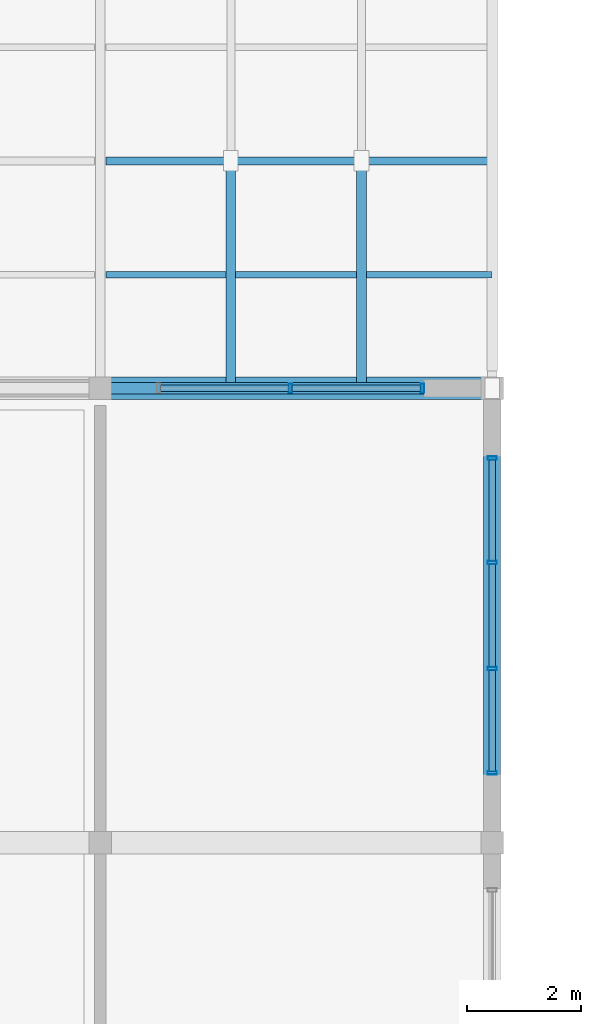
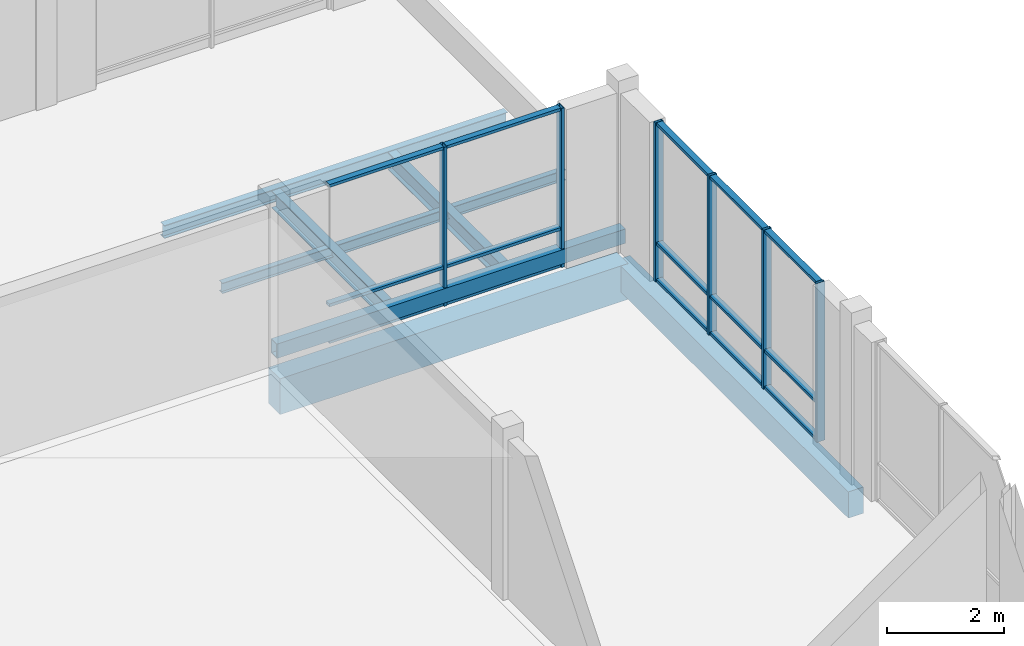
# One storey, part 32 of 189: 23 members, 5 beams, 2 elements without a shape of their own.
"""IFC4 building model written with IfcOpenShell, lengths in metres."""

from ifc_helpers import new_model, si_unit, direction, frame, origin, origin_2d, place, context, subcontext, project, spatial, rectangle, hollow_rectangle, i_section, extrude, material, material_profile, profile_set, type_object, element, aggregate, save


model = new_model("IFC4")

# Units and contexts
model_context = context("Model", 3, precision=1e-05, world=origin(), true_north=direction((0.0, 1.0)))
body_context = subcontext(model_context, "Body", "Model", "MODEL_VIEW")
ifc_project = project(units=[si_unit("LENGTHUNIT", "METRE"), si_unit("AREAUNIT", "SQUARE_METRE"), si_unit("VOLUMEUNIT", "CUBIC_METRE"), si_unit("PLANEANGLEUNIT", "RADIAN"), si_unit("MASSUNIT", "GRAM", prefix="KILO")], contexts=[model_context])

# Site, building, storey
site_placement = place(None, origin())
site = spatial("IfcSite", under=ifc_project, at=site_placement, CompositionType="ELEMENT")
building_placement = place(site_placement, origin())
building = spatial("IfcBuilding", under=site, at=building_placement, Name="Zavelmont Quarter", CompositionType="ELEMENT")
storey_placement = place(building_placement, frame((0.0, 0.0, 4.39990234375)))
storey = spatial("IfcBuildingStorey", under=building, at=storey_placement, Name="L01", CompositionType="ELEMENT", Elevation=4.39990234375)

# Beams
ifc_material_1 = material(Name="Concrete C35/45", Category="concrete")
ifc_material_profile_1 = material_profile(ifc_material_1, rectangle(XDim=0.300048828125, YDim=0.550048828125, at=origin_2d()), Name="RC300X550")
ifc_profile_set_1 = profile_set([ifc_material_profile_1], Name="Concrete C35/45")
beam_type_1 = type_object("IfcBeamType", Name="BM02", PredefinedType="SPANDREL", material=ifc_profile_set_1)
beam_1_placement = place(storey_placement, frame((20.699951171875, 46.0, -0.554931640625), z_axis=(0.0, 1.0, 0.0), x_axis=(-1.0, 0.0, 0.0)))
element("IfcBeam", 1, at=beam_1_placement, inside=storey, type_object=beam_type_1, Name="L01 beam BM02 4/H to 4/J", PredefinedType="SPANDREL", context=body_context, shape_type="SweptSolid", body=[
    extrude(rectangle(XDim=0.300048828125, YDim=0.550048828125, at=origin_2d()), origin(), (0.0, 0.0, 1.0), 8.0),
])
ifc_material_2 = material(Name="Concrete C40/50", Category="concrete")
ifc_material_profile_2 = material_profile(ifc_material_2, rectangle(XDim=0.39990234375, YDim=0.75, at=origin_2d()), Name="RC400X750")
ifc_profile_set_2 = profile_set([ifc_material_profile_2], Name="Concrete C40/50")
beam_type_2 = type_object("IfcBeamType", Name="BM05", PredefinedType="BEAM", material=ifc_profile_set_2)
beam_2_placement = place(storey_placement, frame((13.800048828125, 54.0, -0.65478515625), z_axis=(1.0, 0.0, 0.0), x_axis=(0.0, 1.0, 0.0)))
element("IfcBeam", 2, at=beam_2_placement, inside=storey, type_object=beam_type_2, Name="L01 beam BM05 3/J to 4/J", PredefinedType="BEAM", context=body_context, shape_type="SweptSolid", body=[
    extrude(rectangle(XDim=0.39990234375, YDim=0.75, at=origin_2d()), origin(), (0.0, 0.0, 1.0), 6.89990234375),
])
ifc_material_3 = material(Name="Steel S355", Category="steel")
ifc_material_profile_3 = material_profile(ifc_material_3, i_section(OverallWidth=0.135009765625, OverallDepth=0.27001953125, WebThickness=0.006591796875, FlangeThickness=0.01025390625, at=origin_2d()), Name="IPE 270")
ifc_profile_set_3 = profile_set([ifc_material_profile_3], Name="Steel S355")
beam_type_3 = type_object("IfcBeamType", Name="BM14", PredefinedType="JOIST", material=ifc_profile_set_3)
beam_3_placement = place(storey_placement, frame((13.89990234375, 58.0, 0.25), z_axis=(1.0, 0.0, 0.0), x_axis=(0.0, 1.0, 0.0)))
element("IfcBeam", 3, at=beam_3_placement, inside=storey, type_object=beam_type_3, Name="L01 beam BM14 3/J to 4/J", PredefinedType="JOIST", context=body_context, shape_type="SweptSolid", body=[
    extrude(i_section(OverallWidth=0.135009765625, OverallDepth=0.27001953125, WebThickness=0.006591796875, FlangeThickness=0.01025390625, at=origin_2d()), origin(), (0.0, 0.0, 1.0), 6.800048828125),
])
ifc_material_profile_4 = material_profile(ifc_material_3, i_section(OverallWidth=0.110107421875, OverallDepth=0.219970703125, WebThickness=0.005859375, FlangeThickness=0.00927734375, at=origin_2d()), Name="IPE 220")
ifc_profile_set_4 = profile_set([ifc_material_profile_4], Name="Steel S355")
beam_type_4 = type_object("IfcBeamType", Name="BM15", PredefinedType="JOIST", material=ifc_profile_set_4)
beam_4_placement = place(storey_placement, frame((13.89990234375, 56.0, 0.275146484375), z_axis=(1.0, 0.0, 0.0), x_axis=(0.0, 1.0, 0.0)))
element("IfcBeam", 4, at=beam_4_placement, inside=storey, type_object=beam_type_4, Name="L01 beam BM15 3/J to 4/J", PredefinedType="JOIST", context=body_context, shape_type="SweptSolid", body=[
    extrude(i_section(OverallWidth=0.110107421875, OverallDepth=0.219970703125, WebThickness=0.005859375, FlangeThickness=0.00927734375, at=origin_2d()), origin(), (0.0, 0.0, 1.0), 6.800048828125),
])
ifc_material_profile_5 = material_profile(ifc_material_3, hollow_rectangle(XDim=0.199951171875, YDim=0.300048828125, WallThickness=0.012451171875, at=origin_2d()), Name="RHS 300X200X12.5")
ifc_profile_set_5 = profile_set([ifc_material_profile_5], Name="Steel S355")
beam_type_5 = type_object("IfcBeamType", Name="BM16", PredefinedType="BEAM", material=ifc_profile_set_5)
beam_5_placement = place(storey_placement, frame((13.800048828125, 54.0, 0.235107421875), z_axis=(1.0, 0.0, 0.0), x_axis=(0.0, 1.0, 0.0)))
element("IfcBeam", 5, at=beam_5_placement, inside=storey, type_object=beam_type_5, Name="L01 beam BM16 3/J to 4/J", PredefinedType="BEAM", context=body_context, shape_type="SweptSolid", body=[
    extrude(hollow_rectangle(XDim=0.199951171875, YDim=0.300048828125, WallThickness=0.012451171875, at=origin_2d()), origin(), (0.0, 0.0, 1.0), 6.89990234375),
])

# Curtain wall, members
ifc_material_4 = material(Name="Thermally broken aluminium and double low-E safety glazing", Category="aluminium")
curtain_wall_type_1 = type_object("IfcCurtainWallType", Name="CW-560X333", PredefinedType="NOTDEFINED", material=ifc_material_4)
curtain_wall_1_placement = place(storey_placement, origin())
curtain_wall_1 = element("IfcCurtainWall", 6, at=curtain_wall_1_placement, inside=storey, type_object=curtain_wall_type_1, Name="L01 unitised curtain wall CW-560X333", PredefinedType="NOTDEFINED")
ifc_material_5 = material(Name="Powder-coated aluminium EN AW-6063-T6", Category="aluminium")
ifc_material_profile_6 = material_profile(ifc_material_5, hollow_rectangle(XDim=0.06005859375, YDim=0.159912109375, WallThickness=0.00390625, at=origin_2d()), Name="CWM60X160")
ifc_profile_set_6 = profile_set([ifc_material_profile_6], Name="Powder-coated aluminium EN AW-6063-T6")
member_type_1 = type_object("IfcMemberType", Name="CWM01", PredefinedType="MULLION", material=ifc_profile_set_6)
member_1_placement = place(storey_placement, frame((20.699951171875, 47.22998046875, 0.0), z_axis=(0.0, 0.0, 1.0), x_axis=(0.0, 1.0, 0.0)))
member_1 = element("IfcMember", 7, at=member_1_placement, type_object=member_type_1, Name="CW-560X333 mullion 1", PredefinedType="MULLION", context=body_context, shape_type="SweptSolid", body=[
    extrude(hollow_rectangle(XDim=0.06005859375, YDim=0.159912109375, WallThickness=0.00390625, at=origin_2d()), origin(), (0.0, 0.0, 1.0), 3.330078125),
])
member_2_placement = place(storey_placement, frame((20.699951171875, 49.066650390625, 0.0), z_axis=(0.0, 0.0, 1.0), x_axis=(0.0, 1.0, 0.0)))
member_2 = element("IfcMember", 8, at=member_2_placement, type_object=member_type_1, Name="CW-560X333 mullion 2", PredefinedType="MULLION", context=body_context, shape_type="SweptSolid", body=[
    extrude(hollow_rectangle(XDim=0.06005859375, YDim=0.159912109375, WallThickness=0.00390625, at=origin_2d()), origin(), (0.0, 0.0, 1.0), 3.330078125),
])
member_3_placement = place(storey_placement, frame((20.699951171875, 50.933349609375, 0.0), z_axis=(0.0, 0.0, 1.0), x_axis=(0.0, 1.0, 0.0)))
member_3 = element("IfcMember", 9, at=member_3_placement, type_object=member_type_1, Name="CW-560X333 mullion 3", PredefinedType="MULLION", context=body_context, shape_type="SweptSolid", body=[
    extrude(hollow_rectangle(XDim=0.06005859375, YDim=0.159912109375, WallThickness=0.00390625, at=origin_2d()), origin(), (0.0, 0.0, 1.0), 3.330078125),
])
member_4_placement = place(storey_placement, frame((20.699951171875, 52.77001953125, 0.0), z_axis=(0.0, 0.0, 1.0), x_axis=(0.0, 1.0, 0.0)))
member_4 = element("IfcMember", 10, at=member_4_placement, type_object=member_type_1, Name="CW-560X333 mullion 4", PredefinedType="MULLION", context=body_context, shape_type="SweptSolid", body=[
    extrude(hollow_rectangle(XDim=0.06005859375, YDim=0.159912109375, WallThickness=0.00390625, at=origin_2d()), origin(), (0.0, 0.0, 1.0), 3.330078125),
])

curtain_wall_type_2 = type_object("IfcCurtainWallType", Name="CW-470X333", PredefinedType="NOTDEFINED", material=ifc_material_4)
curtain_wall_2_placement = place(storey_placement, origin())
curtain_wall_2 = element("IfcCurtainWall", 11, at=curtain_wall_2_placement, inside=storey, type_object=curtain_wall_type_2, Name="L01 unitised curtain wall CW-470X333", PredefinedType="NOTDEFINED")
member_5_placement = place(storey_placement, frame((17.14990234375, 54.0, 0.0), z_axis=(0.0, 0.0, 1.0), x_axis=(1.0, 0.0, 0.0)))
member_5 = element("IfcMember", 12, at=member_5_placement, type_object=member_type_1, Name="CW-470X333 mullion 2", PredefinedType="MULLION", context=body_context, shape_type="SweptSolid", body=[
    extrude(hollow_rectangle(XDim=0.06005859375, YDim=0.159912109375, WallThickness=0.00390625, at=origin_2d()), origin(), (0.0, 0.0, 1.0), 3.330078125),
])
member_6_placement = place(storey_placement, frame((19.469970703125, 54.0, 0.0), z_axis=(0.0, 0.0, 1.0), x_axis=(1.0, 0.0, 0.0)))
member_6 = element("IfcMember", 13, at=member_6_placement, type_object=member_type_1, Name="CW-470X333 mullion 3", PredefinedType="MULLION", context=body_context, shape_type="SweptSolid", body=[
    extrude(hollow_rectangle(XDim=0.06005859375, YDim=0.159912109375, WallThickness=0.00390625, at=origin_2d()), origin(), (0.0, 0.0, 1.0), 3.330078125),
])

# Member
ifc_material_profile_7 = material_profile(ifc_material_5, hollow_rectangle(XDim=0.1201171875, YDim=0.06005859375, WallThickness=0.00390625, at=origin_2d()), Name="CWT60X120")
ifc_profile_set_7 = profile_set([ifc_material_profile_7], Name="Powder-coated aluminium EN AW-6063-T6")
member_type_2 = type_object("IfcMemberType", Name="CWT01", PredefinedType="NOTDEFINED", material=ifc_profile_set_7)
member_7_placement = place(storey_placement, frame((20.699951171875, 47.260009765625, 0.030029296875), z_axis=(0.0, 1.0, 0.0), x_axis=(-1.0, 0.0, 0.0)))
member_7 = element("IfcMember", 14, at=member_7_placement, type_object=member_type_2, Name="CW-560X333 transom 1.1", ObjectType="TRANSOM", PredefinedType="USERDEFINED", context=body_context, shape_type="SweptSolid", body=[
    extrude(hollow_rectangle(XDim=0.1201171875, YDim=0.06005859375, WallThickness=0.00390625, at=origin_2d()), origin(), (0.0, 0.0, 1.0), 1.776611328125),
])

member_8_placement = place(storey_placement, frame((20.699951171875, 47.260009765625, 0.799072265625), z_axis=(0.0, 1.0, 0.0), x_axis=(-1.0, 0.0, 0.0)))
member_8 = element("IfcMember", 15, at=member_8_placement, type_object=member_type_2, Name="CW-560X333 transom 1.2", ObjectType="TRANSOM", PredefinedType="USERDEFINED", context=body_context, shape_type="SweptSolid", body=[
    extrude(hollow_rectangle(XDim=0.1201171875, YDim=0.06005859375, WallThickness=0.00390625, at=origin_2d()), origin(), (0.0, 0.0, 1.0), 1.776611328125),
])

member_9_placement = place(storey_placement, frame((20.699951171875, 47.260009765625, 3.300048828125), z_axis=(0.0, 1.0, 0.0), x_axis=(-1.0, 0.0, 0.0)))
member_9 = element("IfcMember", 16, at=member_9_placement, type_object=member_type_2, Name="CW-560X333 transom 1.3", ObjectType="TRANSOM", PredefinedType="USERDEFINED", context=body_context, shape_type="SweptSolid", body=[
    extrude(hollow_rectangle(XDim=0.1201171875, YDim=0.06005859375, WallThickness=0.00390625, at=origin_2d()), origin(), (0.0, 0.0, 1.0), 1.776611328125),
])

member_10_placement = place(storey_placement, frame((20.699951171875, 49.0966796875, 0.030029296875), z_axis=(0.0, 1.0, 0.0), x_axis=(-1.0, 0.0, 0.0)))
member_10 = element("IfcMember", 17, at=member_10_placement, type_object=member_type_2, Name="CW-560X333 transom 2.1", ObjectType="TRANSOM", PredefinedType="USERDEFINED", context=body_context, shape_type="SweptSolid", body=[
    extrude(hollow_rectangle(XDim=0.1201171875, YDim=0.06005859375, WallThickness=0.00390625, at=origin_2d()), origin(), (0.0, 0.0, 1.0), 1.806640625),
])

member_11_placement = place(storey_placement, frame((20.699951171875, 49.0966796875, 0.799072265625), z_axis=(0.0, 1.0, 0.0), x_axis=(-1.0, 0.0, 0.0)))
member_11 = element("IfcMember", 18, at=member_11_placement, type_object=member_type_2, Name="CW-560X333 transom 2.2", ObjectType="TRANSOM", PredefinedType="USERDEFINED", context=body_context, shape_type="SweptSolid", body=[
    extrude(hollow_rectangle(XDim=0.1201171875, YDim=0.06005859375, WallThickness=0.00390625, at=origin_2d()), origin(), (0.0, 0.0, 1.0), 1.806640625),
])

member_12_placement = place(storey_placement, frame((20.699951171875, 49.0966796875, 3.300048828125), z_axis=(0.0, 1.0, 0.0), x_axis=(-1.0, 0.0, 0.0)))
member_12 = element("IfcMember", 19, at=member_12_placement, type_object=member_type_2, Name="CW-560X333 transom 2.3", ObjectType="TRANSOM", PredefinedType="USERDEFINED", context=body_context, shape_type="SweptSolid", body=[
    extrude(hollow_rectangle(XDim=0.1201171875, YDim=0.06005859375, WallThickness=0.00390625, at=origin_2d()), origin(), (0.0, 0.0, 1.0), 1.806640625),
])

member_13_placement = place(storey_placement, frame((20.699951171875, 50.96337890625, 0.030029296875), z_axis=(0.0, 1.0, 0.0), x_axis=(-1.0, 0.0, 0.0)))
member_13 = element("IfcMember", 20, at=member_13_placement, type_object=member_type_2, Name="CW-560X333 transom 3.1", ObjectType="TRANSOM", PredefinedType="USERDEFINED", context=body_context, shape_type="SweptSolid", body=[
    extrude(hollow_rectangle(XDim=0.1201171875, YDim=0.06005859375, WallThickness=0.00390625, at=origin_2d()), origin(), (0.0, 0.0, 1.0), 1.776611328125),
])

member_14_placement = place(storey_placement, frame((20.699951171875, 50.96337890625, 0.799072265625), z_axis=(0.0, 1.0, 0.0), x_axis=(-1.0, 0.0, 0.0)))
member_14 = element("IfcMember", 21, at=member_14_placement, type_object=member_type_2, Name="CW-560X333 transom 3.2", ObjectType="TRANSOM", PredefinedType="USERDEFINED", context=body_context, shape_type="SweptSolid", body=[
    extrude(hollow_rectangle(XDim=0.1201171875, YDim=0.06005859375, WallThickness=0.00390625, at=origin_2d()), origin(), (0.0, 0.0, 1.0), 1.776611328125),
])

member_15_placement = place(storey_placement, frame((20.699951171875, 50.96337890625, 3.300048828125), z_axis=(0.0, 1.0, 0.0), x_axis=(-1.0, 0.0, 0.0)))
member_15 = element("IfcMember", 22, at=member_15_placement, type_object=member_type_2, Name="CW-560X333 transom 3.3", ObjectType="TRANSOM", PredefinedType="USERDEFINED", context=body_context, shape_type="SweptSolid", body=[
    extrude(hollow_rectangle(XDim=0.1201171875, YDim=0.06005859375, WallThickness=0.00390625, at=origin_2d()), origin(), (0.0, 0.0, 1.0), 1.776611328125),
])

aggregate(curtain_wall_1, [member_1, member_2, member_3, member_4, member_7, member_8, member_9, member_10, member_11, member_12, member_13, member_14, member_15])

member_16_placement = place(storey_placement, frame((14.860107421875, 54.0, 0.030029296875), z_axis=(1.0, 0.0, 0.0), x_axis=(0.0, 1.0, 0.0)))
member_16 = element("IfcMember", 23, at=member_16_placement, type_object=member_type_2, Name="CW-470X333 transom 1.1", ObjectType="TRANSOM", PredefinedType="USERDEFINED", context=body_context, shape_type="SweptSolid", body=[
    extrude(hollow_rectangle(XDim=0.1201171875, YDim=0.06005859375, WallThickness=0.00390625, at=origin_2d()), origin(), (0.0, 0.0, 1.0), 2.260009765625),
])

member_17_placement = place(storey_placement, frame((14.860107421875, 54.0, 0.799072265625), z_axis=(1.0, 0.0, 0.0), x_axis=(0.0, 1.0, 0.0)))
member_17 = element("IfcMember", 24, at=member_17_placement, type_object=member_type_2, Name="CW-470X333 transom 1.2", ObjectType="TRANSOM", PredefinedType="USERDEFINED", context=body_context, shape_type="SweptSolid", body=[
    extrude(hollow_rectangle(XDim=0.1201171875, YDim=0.06005859375, WallThickness=0.00390625, at=origin_2d()), origin(), (0.0, 0.0, 1.0), 2.260009765625),
])

member_18_placement = place(storey_placement, frame((14.860107421875, 54.0, 3.300048828125), z_axis=(1.0, 0.0, 0.0), x_axis=(0.0, 1.0, 0.0)))
member_18 = element("IfcMember", 25, at=member_18_placement, type_object=member_type_2, Name="CW-470X333 transom 1.3", ObjectType="TRANSOM", PredefinedType="USERDEFINED", context=body_context, shape_type="SweptSolid", body=[
    extrude(hollow_rectangle(XDim=0.1201171875, YDim=0.06005859375, WallThickness=0.00390625, at=origin_2d()), origin(), (0.0, 0.0, 1.0), 2.260009765625),
])

member_19_placement = place(storey_placement, frame((17.179931640625, 54.0, 0.030029296875), z_axis=(1.0, 0.0, 0.0), x_axis=(0.0, 1.0, 0.0)))
member_19 = element("IfcMember", 26, at=member_19_placement, type_object=member_type_2, Name="CW-470X333 transom 2.1", ObjectType="TRANSOM", PredefinedType="USERDEFINED", context=body_context, shape_type="SweptSolid", body=[
    extrude(hollow_rectangle(XDim=0.1201171875, YDim=0.06005859375, WallThickness=0.00390625, at=origin_2d()), origin(), (0.0, 0.0, 1.0), 2.260009765625),
])

member_20_placement = place(storey_placement, frame((17.179931640625, 54.0, 0.799072265625), z_axis=(1.0, 0.0, 0.0), x_axis=(0.0, 1.0, 0.0)))
member_20 = element("IfcMember", 27, at=member_20_placement, type_object=member_type_2, Name="CW-470X333 transom 2.2", ObjectType="TRANSOM", PredefinedType="USERDEFINED", context=body_context, shape_type="SweptSolid", body=[
    extrude(hollow_rectangle(XDim=0.1201171875, YDim=0.06005859375, WallThickness=0.00390625, at=origin_2d()), origin(), (0.0, 0.0, 1.0), 2.260009765625),
])

member_21_placement = place(storey_placement, frame((17.179931640625, 54.0, 3.300048828125), z_axis=(1.0, 0.0, 0.0), x_axis=(0.0, 1.0, 0.0)))
member_21 = element("IfcMember", 28, at=member_21_placement, type_object=member_type_2, Name="CW-470X333 transom 2.3", ObjectType="TRANSOM", PredefinedType="USERDEFINED", context=body_context, shape_type="SweptSolid", body=[
    extrude(hollow_rectangle(XDim=0.1201171875, YDim=0.06005859375, WallThickness=0.00390625, at=origin_2d()), origin(), (0.0, 0.0, 1.0), 2.260009765625),
])

aggregate(curtain_wall_2, [member_5, member_6, member_16, member_17, member_18, member_19, member_20, member_21])

# Members
ifc_material_profile_8 = material_profile(ifc_material_3, i_section(OverallWidth=0.169921875, OverallDepth=0.360107421875, WebThickness=0.008056640625, FlangeThickness=0.0126953125, at=origin_2d()), Name="IPE 360")
ifc_profile_set_8 = profile_set([ifc_material_profile_8], Name="Steel S355")
member_type_3 = type_object("IfcMemberType", Name="RFM2", PredefinedType="RAFTER", material=ifc_profile_set_8)
for number, where, z_axis, x_axis, name in (
    (29, (16.10009765625, 54.10009765625, 0.205078125), (0.0, 1.0, 0.0), (-1.0, 0.0, 0.0), "L01 member RFM2 3/J to 3/J"),
    (30, (18.39990234375, 54.10009765625, 0.205078125), (0.0, 1.0, 0.0), (-1.0, 0.0, 0.0), "L01 member RFM2 4/J to 4/J"),
):
    element("IfcMember", number, at=place(storey_placement, frame(where, z_axis=z_axis, x_axis=x_axis)), inside=storey, type_object=member_type_3, Name=name, PredefinedType="RAFTER", context=body_context, shape_type="SweptSolid", body=[
        extrude(i_section(OverallWidth=0.169921875, OverallDepth=0.360107421875, WebThickness=0.008056640625, FlangeThickness=0.0126953125, at=origin_2d()), origin(), (0.0, 0.0, 1.0), 3.81982421875),
    ])

save(model, "model.ifc")
